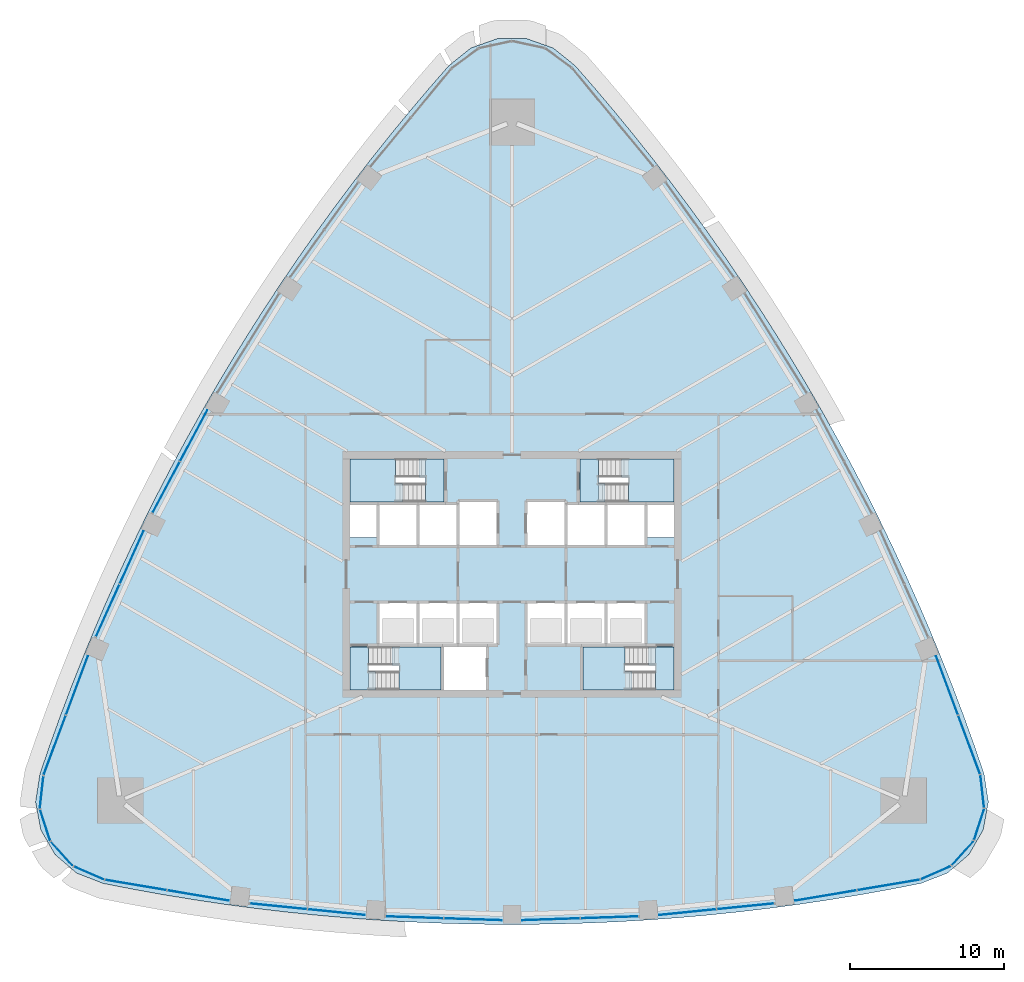
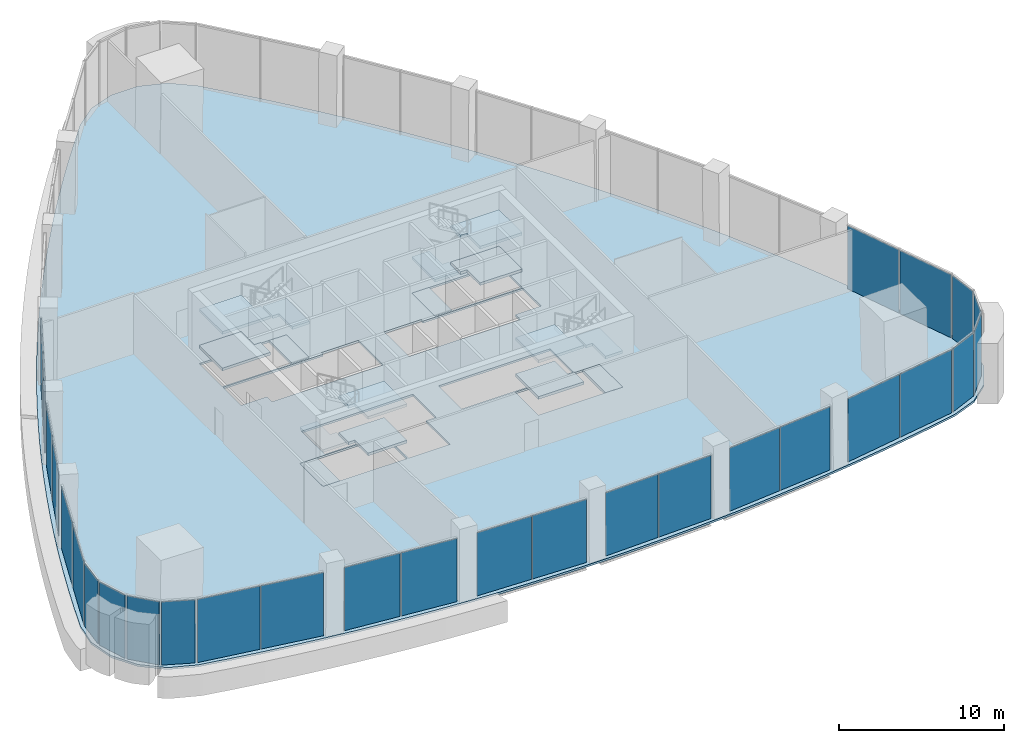
# One storey, part 8 of 16: 28 plates, 17 slabs, 22 elements without a shape of their own.
"""IFC4 building model written with IfcOpenShell, lengths in metres."""

from ifc_helpers import new_model, si_unit, direction, frame, origin, origin_2d, place, context, subcontext, project, spatial, polyline, rectangle, outline, extrude, material, layer, layer_set, type_object, element, aggregate, save


model = new_model("IFC4")

# Units and contexts
model_context = context("Model", 3, precision=1e-05, world=origin(), true_north=direction((0.0, 1.0)))
body_context = subcontext(model_context, "Body", "Model", "MODEL_VIEW")
ifc_project = project(units=[si_unit("LENGTHUNIT", "METRE"), si_unit("AREAUNIT", "SQUARE_METRE"), si_unit("VOLUMEUNIT", "CUBIC_METRE"), si_unit("PLANEANGLEUNIT", "RADIAN"), si_unit("MASSUNIT", "GRAM", prefix="KILO")], contexts=[model_context])

# Site, building, storey
site_placement = place(None, origin())
site = spatial("IfcSite", under=ifc_project, at=site_placement, CompositionType="ELEMENT")
building_placement = place(site_placement, origin())
building = spatial("IfcBuilding", under=site, at=building_placement, Name="Sierra Prisma Convention Tower", CompositionType="ELEMENT")
storey_placement = place(building_placement, frame((0.0, 0.0, 107.199951171875)))
storey = spatial("IfcBuildingStorey", under=building, at=storey_placement, Name="L23", CompositionType="ELEMENT", Elevation=107.199951171875)

# Curtain wall, plates
ifc_material_1 = material(Name="Aluminium and glass curtain wall", Category="aluminium")
ifc_layer_1 = layer(ifc_material_1, 0.179931640625)
ifc_layer_set_1 = layer_set([ifc_layer_1], Name="CW-1 Plain shaft curtain wall")
curtain_wall_type = type_object("IfcCurtainWallType", Name="CW-1 Plain shaft curtain wall", PredefinedType="NOTDEFINED", material=ifc_layer_set_1)
curtain_wall_1_placement = place(storey_placement, origin())
curtain_wall_1 = element("IfcCurtainWall", 1, at=curtain_wall_1_placement, inside=storey, type_object=curtain_wall_type, Name="CW-1 S1 L23", PredefinedType="NOTDEFINED")
ifc_material_2 = material(Name="Tinted glass bronze-grey IGU", Category="glass")
ifc_layer_2 = layer(ifc_material_2, 0.028076171875)
ifc_layer_set_2 = layer_set([ifc_layer_2], Name="CW-1 glass panel")
plate_type = type_object("IfcPlateType", Name="CW-1 glass panel", PredefinedType="CURTAIN_PANEL", material=ifc_layer_set_2)
plate_1_placement = place(storey_placement, frame((-24.415283203125, -20.162109375, 0.0), z_axis=(0.0, 0.0, 1.0), x_axis=(0.986131874684, -0.16596362774, 0.0)))
plate_1 = element("IfcPlate", 2, at=plate_1_placement, type_object=plate_type, Name="CW-1 panel S1.1", PredefinedType="CURTAIN_PANEL", context=body_context, shape_type="SweptSolid", body=[
    extrude(rectangle(XDim=4.0361328125, YDim=0.028076171875, at=origin_2d()), origin(), (0.0, 0.0, 1.0), 4.679931640625),
])
plate_2_placement = place(storey_placement, frame((-20.365966796875, -20.843505859375, 0.0), z_axis=(0.0, 0.0, 1.0), x_axis=(0.986131874684, -0.16596362774, 0.0)))
plate_2 = element("IfcPlate", 3, at=plate_2_placement, type_object=plate_type, Name="CW-1 panel S1.2", PredefinedType="CURTAIN_PANEL", context=body_context, shape_type="SweptSolid", body=[
    extrude(rectangle(XDim=4.0361328125, YDim=0.028076171875, at=origin_2d()), origin(), (0.0, 0.0, 1.0), 4.679931640625),
])
aggregate(curtain_wall_1, [plate_1, plate_2])

curtain_wall_2_placement = place(storey_placement, origin())
curtain_wall_2 = element("IfcCurtainWall", 4, at=curtain_wall_2_placement, inside=storey, type_object=curtain_wall_type, Name="CW-1 S2 L23", PredefinedType="NOTDEFINED")
plate_3_placement = place(storey_placement, frame((-15.15625, -21.54638671875, 0.0), z_axis=(0.0, 0.0, 1.0), x_axis=(0.995000064648, -0.09987427772, 0.0)))
plate_3 = element("IfcPlate", 5, at=plate_3_placement, type_object=plate_type, Name="CW-1 panel S2.1", PredefinedType="CURTAIN_PANEL", context=body_context, shape_type="SweptSolid", body=[
    extrude(rectangle(XDim=3.713623046875, YDim=0.028076171875, at=origin_2d()), origin(), (0.0, 0.0, 1.0), 4.679931640625),
])
plate_4_placement = place(storey_placement, frame((-11.3916015625, -21.92431640625, 0.0), z_axis=(0.0, 0.0, 1.0), x_axis=(0.995000064648, -0.09987427772, 0.0)))
plate_4 = element("IfcPlate", 6, at=plate_4_placement, type_object=plate_type, Name="CW-1 panel S2.2", PredefinedType="CURTAIN_PANEL", context=body_context, shape_type="SweptSolid", body=[
    extrude(rectangle(XDim=3.713623046875, YDim=0.028076171875, at=origin_2d()), origin(), (0.0, 0.0, 1.0), 4.679931640625),
])
aggregate(curtain_wall_2, [plate_3, plate_4])

curtain_wall_3_placement = place(storey_placement, origin())
curtain_wall_3 = element("IfcCurtainWall", 7, at=curtain_wall_3_placement, inside=storey, type_object=curtain_wall_type, Name="CW-1 S3 L23", PredefinedType="NOTDEFINED")
plate_5_placement = place(storey_placement, frame((-6.3310546875, -22.26171875, 0.0), z_axis=(0.0, 0.0, 1.0), x_axis=(0.999444039581, -0.033340842002, 0.0)))
plate_5 = element("IfcPlate", 8, at=plate_5_placement, type_object=plate_type, Name="CW-1 panel S3.1", PredefinedType="CURTAIN_PANEL", context=body_context, shape_type="SweptSolid", body=[
    extrude(rectangle(XDim=3.729736328125, YDim=0.028076171875, at=origin_2d()), origin(), (0.0, 0.0, 1.0), 4.679931640625),
])
plate_6_placement = place(storey_placement, frame((-2.533447265625, -22.388427734375, 0.0), z_axis=(0.0, 0.0, 1.0), x_axis=(0.999444039581, -0.033340842002, 0.0)))
plate_6 = element("IfcPlate", 9, at=plate_6_placement, type_object=plate_type, Name="CW-1 panel S3.2", PredefinedType="CURTAIN_PANEL", context=body_context, shape_type="SweptSolid", body=[
    extrude(rectangle(XDim=3.729736328125, YDim=0.028076171875, at=origin_2d()), origin(), (0.0, 0.0, 1.0), 4.679931640625),
])
aggregate(curtain_wall_3, [plate_5, plate_6])

curtain_wall_4_placement = place(storey_placement, origin())
curtain_wall_4 = element("IfcCurtainWall", 10, at=curtain_wall_4_placement, inside=storey, type_object=curtain_wall_type, Name="CW-1 S4 L23", PredefinedType="NOTDEFINED")
plate_7_placement = place(storey_placement, frame((2.533447265625, -22.388427734375, 0.0), z_axis=(0.0, 0.0, 1.0), x_axis=(0.999444039581, 0.033340842002, 0.0)))
plate_7 = element("IfcPlate", 11, at=plate_7_placement, type_object=plate_type, Name="CW-1 panel S4.1", PredefinedType="CURTAIN_PANEL", context=body_context, shape_type="SweptSolid", body=[
    extrude(rectangle(XDim=3.729736328125, YDim=0.028076171875, at=origin_2d()), origin(), (0.0, 0.0, 1.0), 4.679931640625),
])
plate_8_placement = place(storey_placement, frame((6.3310546875, -22.26171875, 0.0), z_axis=(0.0, 0.0, 1.0), x_axis=(0.999444039581, 0.033340842002, 0.0)))
plate_8 = element("IfcPlate", 12, at=plate_8_placement, type_object=plate_type, Name="CW-1 panel S4.2", PredefinedType="CURTAIN_PANEL", context=body_context, shape_type="SweptSolid", body=[
    extrude(rectangle(XDim=3.729736328125, YDim=0.028076171875, at=origin_2d()), origin(), (0.0, 0.0, 1.0), 4.679931640625),
])
aggregate(curtain_wall_4, [plate_7, plate_8])

curtain_wall_5_placement = place(storey_placement, origin())
curtain_wall_5 = element("IfcCurtainWall", 13, at=curtain_wall_5_placement, inside=storey, type_object=curtain_wall_type, Name="CW-1 S5 L23", PredefinedType="NOTDEFINED")
plate_9_placement = place(storey_placement, frame((11.3916015625, -21.92431640625, 0.0), z_axis=(0.0, 0.0, 1.0), x_axis=(0.995000064648, 0.09987427772, 0.0)))
plate_9 = element("IfcPlate", 14, at=plate_9_placement, type_object=plate_type, Name="CW-1 panel S5.1", PredefinedType="CURTAIN_PANEL", context=body_context, shape_type="SweptSolid", body=[
    extrude(rectangle(XDim=3.713623046875, YDim=0.028076171875, at=origin_2d()), origin(), (0.0, 0.0, 1.0), 4.679931640625),
])
plate_10_placement = place(storey_placement, frame((15.15625, -21.54638671875, 0.0), z_axis=(0.0, 0.0, 1.0), x_axis=(0.995000064648, 0.09987427772, 0.0)))
plate_10 = element("IfcPlate", 15, at=plate_10_placement, type_object=plate_type, Name="CW-1 panel S5.2", PredefinedType="CURTAIN_PANEL", context=body_context, shape_type="SweptSolid", body=[
    extrude(rectangle(XDim=3.713623046875, YDim=0.028076171875, at=origin_2d()), origin(), (0.0, 0.0, 1.0), 4.679931640625),
])
aggregate(curtain_wall_5, [plate_9, plate_10])

curtain_wall_6_placement = place(storey_placement, origin())
curtain_wall_6 = element("IfcCurtainWall", 16, at=curtain_wall_6_placement, inside=storey, type_object=curtain_wall_type, Name="CW-1 S6 L23", PredefinedType="NOTDEFINED")
plate_11_placement = place(storey_placement, frame((20.365966796875, -20.843505859375, 0.0), z_axis=(0.0, 0.0, 1.0), x_axis=(0.986131874684, 0.16596362774, 0.0)))
plate_11 = element("IfcPlate", 17, at=plate_11_placement, type_object=plate_type, Name="CW-1 panel S6.1", PredefinedType="CURTAIN_PANEL", context=body_context, shape_type="SweptSolid", body=[
    extrude(rectangle(XDim=4.0361328125, YDim=0.028076171875, at=origin_2d()), origin(), (0.0, 0.0, 1.0), 4.679931640625),
])
plate_12_placement = place(storey_placement, frame((24.415283203125, -20.162109375, 0.0), z_axis=(0.0, 0.0, 1.0), x_axis=(0.986131874684, 0.16596362774, 0.0)))
plate_12 = element("IfcPlate", 18, at=plate_12_placement, type_object=plate_type, Name="CW-1 panel S6.2", PredefinedType="CURTAIN_PANEL", context=body_context, shape_type="SweptSolid", body=[
    extrude(rectangle(XDim=4.0361328125, YDim=0.028076171875, at=origin_2d()), origin(), (0.0, 0.0, 1.0), 4.679931640625),
])
aggregate(curtain_wall_6, [plate_11, plate_12])

# Curtain wall, plate
curtain_wall_7_placement = place(storey_placement, origin())
curtain_wall_7 = element("IfcCurtainWall", 19, at=curtain_wall_7_placement, inside=storey, type_object=curtain_wall_type, Name="CW-1 SE1 L23", PredefinedType="NOTDEFINED")
plate_13_placement = place(storey_placement, frame((27.48291015625, -19.375, 0.0), z_axis=(0.0, 0.0, 1.0), x_axis=(0.916377428238, 0.400315386935, 0.0)))
plate_13 = element("IfcPlate", 20, at=plate_13_placement, type_object=plate_type, Name="CW-1 panel SE1.1", PredefinedType="CURTAIN_PANEL", context=body_context, shape_type="SweptSolid", body=[
    extrude(rectangle(XDim=2.06103515625, YDim=0.028076171875, at=origin_2d()), origin(), (0.0, 0.0, 1.0), 4.679931640625),
])
aggregate(curtain_wall_7, [plate_13])

curtain_wall_8_placement = place(storey_placement, origin())
curtain_wall_8 = element("IfcCurtainWall", 21, at=curtain_wall_8_placement, inside=storey, type_object=curtain_wall_type, Name="CW-1 SE2 L23", PredefinedType="NOTDEFINED")
plate_14_placement = place(storey_placement, frame((29.229736328125, -18.1181640625, 0.0), z_axis=(0.0, 0.0, 1.0), x_axis=(0.670867245541, 0.741577466527, 0.0)))
plate_14 = element("IfcPlate", 22, at=plate_14_placement, type_object=plate_type, Name="CW-1 panel SE2.1", PredefinedType="CURTAIN_PANEL", context=body_context, shape_type="SweptSolid", body=[
    extrude(rectangle(XDim=2.06103515625, YDim=0.028076171875, at=origin_2d()), origin(), (0.0, 0.0, 1.0), 4.679931640625),
])
aggregate(curtain_wall_8, [plate_14])

curtain_wall_9_placement = place(storey_placement, origin())
curtain_wall_9 = element("IfcCurtainWall", 23, at=curtain_wall_9_placement, inside=storey, type_object=curtain_wall_type, Name="CW-1 SE3 L23", PredefinedType="NOTDEFINED")
plate_15_placement = place(storey_placement, frame((30.3056640625, -16.254638671875, 0.0), z_axis=(0.0, 0.0, 1.0), x_axis=(0.306791302116, 0.951776810469, 0.0)))
plate_15 = element("IfcPlate", 24, at=plate_15_placement, type_object=plate_type, Name="CW-1 panel SE3.1", PredefinedType="CURTAIN_PANEL", context=body_context, shape_type="SweptSolid", body=[
    extrude(rectangle(XDim=2.06103515625, YDim=0.028076171875, at=origin_2d()), origin(), (0.0, 0.0, 1.0), 4.679931640625),
])
aggregate(curtain_wall_9, [plate_15])

curtain_wall_10_placement = place(storey_placement, origin())
curtain_wall_10 = element("IfcCurtainWall", 25, at=curtain_wall_10_placement, inside=storey, type_object=curtain_wall_type, Name="CW-1 SE4 L23", PredefinedType="NOTDEFINED")
plate_16_placement = place(storey_placement, frame((30.5205078125, -14.113525390625, 0.0), z_axis=(0.0, 0.0, 1.0), x_axis=(-0.111505419508, 0.993763825776, 0.0)))
plate_16 = element("IfcPlate", 26, at=plate_16_placement, type_object=plate_type, Name="CW-1 panel SE4.1", PredefinedType="CURTAIN_PANEL", context=body_context, shape_type="SweptSolid", body=[
    extrude(rectangle(XDim=2.06103515625, YDim=0.028076171875, at=origin_2d()), origin(), (0.0, 0.0, 1.0), 4.679931640625),
])
aggregate(curtain_wall_10, [plate_16])

# Curtain wall, plates
curtain_wall_11_placement = place(storey_placement, origin())
curtain_wall_11 = element("IfcCurtainWall", 27, at=curtain_wall_11_placement, inside=storey, type_object=curtain_wall_type, Name="CW-1 NE1 L23", PredefinedType="NOTDEFINED")
plate_17_placement = place(storey_placement, frame((29.66845703125, -11.063232421875, 0.0), z_axis=(0.0, 0.0, 1.0), x_axis=(-0.349337219615, 0.936997068828, 0.0)))
plate_17 = element("IfcPlate", 28, at=plate_17_placement, type_object=plate_type, Name="CW-1 panel NE1.1", PredefinedType="CURTAIN_PANEL", context=body_context, shape_type="SweptSolid", body=[
    extrude(rectangle(XDim=4.0361328125, YDim=0.028076171875, at=origin_2d()), origin(), (0.0, 0.0, 1.0), 4.679931640625),
])
plate_18_placement = place(storey_placement, frame((28.23388671875, -7.2158203125, 0.0), z_axis=(0.0, 0.0, 1.0), x_axis=(-0.349337219615, 0.936997068828, 0.0)))
plate_18 = element("IfcPlate", 29, at=plate_18_placement, type_object=plate_type, Name="CW-1 panel NE1.2", PredefinedType="CURTAIN_PANEL", context=body_context, shape_type="SweptSolid", body=[
    extrude(rectangle(XDim=4.0361328125, YDim=0.028076171875, at=origin_2d()), origin(), (0.0, 0.0, 1.0), 4.679931640625),
])
aggregate(curtain_wall_11, [plate_17, plate_18])

curtain_wall_12_placement = place(storey_placement, origin())
curtain_wall_12 = element("IfcCurtainWall", 30, at=curtain_wall_12_placement, inside=storey, type_object=curtain_wall_type, Name="CW-1 NW4 L23", PredefinedType="NOTDEFINED")
plate_19_placement = place(storey_placement, frame((-20.655517578125, 9.000244140625, 0.0), z_axis=(0.0, 0.0, 1.0), x_axis=(-0.470848003633, -0.882214348939, 0.0)))
plate_19 = element("IfcPlate", 31, at=plate_19_placement, type_object=plate_type, Name="CW-1 panel NW4.1", PredefinedType="CURTAIN_PANEL", context=body_context, shape_type="SweptSolid", body=[
    extrude(rectangle(XDim=3.729736328125, YDim=0.028076171875, at=origin_2d()), origin(), (0.0, 0.0, 1.0), 4.679931640625),
])
plate_20_placement = place(storey_placement, frame((-22.444580078125, 5.64794921875, 0.0), z_axis=(0.0, 0.0, 1.0), x_axis=(-0.470848003633, -0.882214348939, 0.0)))
plate_20 = element("IfcPlate", 32, at=plate_20_placement, type_object=plate_type, Name="CW-1 panel NW4.2", PredefinedType="CURTAIN_PANEL", context=body_context, shape_type="SweptSolid", body=[
    extrude(rectangle(XDim=3.729736328125, YDim=0.028076171875, at=origin_2d()), origin(), (0.0, 0.0, 1.0), 4.679931640625),
])
aggregate(curtain_wall_12, [plate_19, plate_20])

curtain_wall_13_placement = place(storey_placement, origin())
curtain_wall_13 = element("IfcCurtainWall", 33, at=curtain_wall_13_placement, inside=storey, type_object=curtain_wall_type, Name="CW-1 NW5 L23", PredefinedType="NOTDEFINED")
plate_21_placement = place(storey_placement, frame((-24.682861328125, 1.096923828125, 0.0), z_axis=(0.0, 0.0, 1.0), x_axis=(-0.411006370634, -0.911632471612, 0.0)))
plate_21 = element("IfcPlate", 34, at=plate_21_placement, type_object=plate_type, Name="CW-1 panel NW5.1", PredefinedType="CURTAIN_PANEL", context=body_context, shape_type="SweptSolid", body=[
    extrude(rectangle(XDim=3.713623046875, YDim=0.028076171875, at=origin_2d()), origin(), (0.0, 0.0, 1.0), 4.679931640625),
])
plate_22_placement = place(storey_placement, frame((-26.23779296875, -2.352294921875, 0.0), z_axis=(0.0, 0.0, 1.0), x_axis=(-0.411006370634, -0.911632471612, 0.0)))
plate_22 = element("IfcPlate", 35, at=plate_22_placement, type_object=plate_type, Name="CW-1 panel NW5.2", PredefinedType="CURTAIN_PANEL", context=body_context, shape_type="SweptSolid", body=[
    extrude(rectangle(XDim=3.713623046875, YDim=0.028076171875, at=origin_2d()), origin(), (0.0, 0.0, 1.0), 4.679931640625),
])
aggregate(curtain_wall_13, [plate_21, plate_22])

curtain_wall_14_placement = place(storey_placement, origin())
curtain_wall_14 = element("IfcCurtainWall", 36, at=curtain_wall_14_placement, inside=storey, type_object=curtain_wall_type, Name="CW-1 NW6 L23", PredefinedType="NOTDEFINED")
plate_23_placement = place(storey_placement, frame((-28.23388671875, -7.2158203125, 0.0), z_axis=(0.0, 0.0, 1.0), x_axis=(-0.349337219615, -0.936997068828, 0.0)))
plate_23 = element("IfcPlate", 37, at=plate_23_placement, type_object=plate_type, Name="CW-1 panel NW6.1", PredefinedType="CURTAIN_PANEL", context=body_context, shape_type="SweptSolid", body=[
    extrude(rectangle(XDim=4.0361328125, YDim=0.028076171875, at=origin_2d()), origin(), (0.0, 0.0, 1.0), 4.679931640625),
])
plate_24_placement = place(storey_placement, frame((-29.66845703125, -11.063232421875, 0.0), z_axis=(0.0, 0.0, 1.0), x_axis=(-0.349337219615, -0.936997068828, 0.0)))
plate_24 = element("IfcPlate", 38, at=plate_24_placement, type_object=plate_type, Name="CW-1 panel NW6.2", PredefinedType="CURTAIN_PANEL", context=body_context, shape_type="SweptSolid", body=[
    extrude(rectangle(XDim=4.0361328125, YDim=0.028076171875, at=origin_2d()), origin(), (0.0, 0.0, 1.0), 4.679931640625),
])
aggregate(curtain_wall_14, [plate_23, plate_24])

# Curtain wall, plate
curtain_wall_15_placement = place(storey_placement, origin())
curtain_wall_15 = element("IfcCurtainWall", 39, at=curtain_wall_15_placement, inside=storey, type_object=curtain_wall_type, Name="CW-1 SW1 L23", PredefinedType="NOTDEFINED")
plate_25_placement = place(storey_placement, frame((-30.5205078125, -14.113525390625, 0.0), z_axis=(0.0, 0.0, 1.0), x_axis=(-0.111505419508, -0.993763825776, 0.0)))
plate_25 = element("IfcPlate", 40, at=plate_25_placement, type_object=plate_type, Name="CW-1 panel SW1.1", PredefinedType="CURTAIN_PANEL", context=body_context, shape_type="SweptSolid", body=[
    extrude(rectangle(XDim=2.06103515625, YDim=0.028076171875, at=origin_2d()), origin(), (0.0, 0.0, 1.0), 4.679931640625),
])
aggregate(curtain_wall_15, [plate_25])

curtain_wall_16_placement = place(storey_placement, origin())
curtain_wall_16 = element("IfcCurtainWall", 41, at=curtain_wall_16_placement, inside=storey, type_object=curtain_wall_type, Name="CW-1 SW2 L23", PredefinedType="NOTDEFINED")
plate_26_placement = place(storey_placement, frame((-30.3056640625, -16.254638671875, 0.0), z_axis=(0.0, 0.0, 1.0), x_axis=(0.306791302116, -0.951776810469, 0.0)))
plate_26 = element("IfcPlate", 42, at=plate_26_placement, type_object=plate_type, Name="CW-1 panel SW2.1", PredefinedType="CURTAIN_PANEL", context=body_context, shape_type="SweptSolid", body=[
    extrude(rectangle(XDim=2.06103515625, YDim=0.028076171875, at=origin_2d()), origin(), (0.0, 0.0, 1.0), 4.679931640625),
])
aggregate(curtain_wall_16, [plate_26])

curtain_wall_17_placement = place(storey_placement, origin())
curtain_wall_17 = element("IfcCurtainWall", 43, at=curtain_wall_17_placement, inside=storey, type_object=curtain_wall_type, Name="CW-1 SW3 L23", PredefinedType="NOTDEFINED")
plate_27_placement = place(storey_placement, frame((-29.229736328125, -18.1181640625, 0.0), z_axis=(0.0, 0.0, 1.0), x_axis=(0.670867245541, -0.741577466527, 0.0)))
plate_27 = element("IfcPlate", 44, at=plate_27_placement, type_object=plate_type, Name="CW-1 panel SW3.1", PredefinedType="CURTAIN_PANEL", context=body_context, shape_type="SweptSolid", body=[
    extrude(rectangle(XDim=2.06103515625, YDim=0.028076171875, at=origin_2d()), origin(), (0.0, 0.0, 1.0), 4.679931640625),
])
aggregate(curtain_wall_17, [plate_27])

curtain_wall_18_placement = place(storey_placement, origin())
curtain_wall_18 = element("IfcCurtainWall", 45, at=curtain_wall_18_placement, inside=storey, type_object=curtain_wall_type, Name="CW-1 SW4 L23", PredefinedType="NOTDEFINED")
plate_28_placement = place(storey_placement, frame((-27.48291015625, -19.375, 0.0), z_axis=(0.0, 0.0, 1.0), x_axis=(0.916377428238, -0.400315386935, 0.0)))
plate_28 = element("IfcPlate", 46, at=plate_28_placement, type_object=plate_type, Name="CW-1 panel SW4.1", PredefinedType="CURTAIN_PANEL", context=body_context, shape_type="SweptSolid", body=[
    extrude(rectangle(XDim=2.06103515625, YDim=0.028076171875, at=origin_2d()), origin(), (0.0, 0.0, 1.0), 4.679931640625),
])
aggregate(curtain_wall_18, [plate_28])

# Slab
ifc_material_3 = material(Name="Concrete C35/45", Category="concrete")
ifc_layer_3 = layer(ifc_material_3, 0.14990234375)
ifc_layer_set_3 = layer_set([ifc_layer_3], Name="Composite floor slab 150")
slab_type_1 = type_object("IfcSlabType", Name="Composite floor slab 150", PredefinedType="FLOOR", material=ifc_layer_set_3)
slab_1_placement = place(storey_placement, frame((0.0, 0.0, -0.14990234375)))
element("IfcSlab", 47, at=slab_1_placement, inside=storey, type_object=slab_type_1, Name="Floor slab L23 floor", PredefinedType="FLOOR", context=body_context, shape_type="SweptSolid", body=[
    extrude(outline(polyline([(-26.524169921875, -20.060546875), (-24.582763671875, -20.439208984375), (-22.635986328125, -20.7890625), (-20.684326171875, -21.110107421875), (-18.728271484375, -21.40234375), (-16.767822265625, -21.665283203125), (-14.803955078125, -21.899169921875), (-12.836669921875, -22.10400390625), (-10.866455078125, -22.27978515625), (-8.89404296875, -22.42626953125), (-6.919677734375, -22.54345703125), (-4.943603515625, -22.63134765625), (-2.966552734375, -22.68994140625), (-0.989013671875, -22.71923828125), (0.989013671875, -22.71923828125), (2.966552734375, -22.68994140625), (4.943603515625, -22.63134765625), (6.919677734375, -22.54345703125), (8.89404296875, -22.42626953125), (10.866455078125, -22.27978515625), (12.836669921875, -22.10400390625), (14.803955078125, -21.899169921875), (16.767822265625, -21.665283203125), (18.728271484375, -21.40234375), (20.684326171875, -21.110107421875), (22.635986328125, -20.7890625), (24.582763671875, -20.439208984375), (26.524169921875, -20.060546875), (28.2490234375, -19.392333984375), (29.654052734375, -18.188720703125), (30.5791015625, -16.586669921875), (30.9189453125, -14.768310546875), (30.635009765625, -12.940185546875), (29.9921875, -11.069580078125), (29.322021484375, -9.208740234375), (28.6240234375, -7.358154296875), (27.89892578125, -5.51806640625), (27.146484375, -3.688720703125), (26.3671875, -1.870849609375), (25.56103515625, -0.064697265625), (24.72802734375, 1.729248046875), (23.86865234375, 3.5107421875), (22.98291015625, 5.279052734375), (22.071044921875, 7.0341796875), (21.13330078125, 8.77587890625), (20.169921875, 10.503173828125), (19.180908203125, 12.216064453125), (18.166748046875, 13.9140625), (17.12744140625, 15.596923828125), (16.063232421875, 17.26416015625), (14.974609375, 18.91552734375), (13.861572265625, 20.550537109375), (12.724365234375, 22.1689453125), (11.5634765625, 23.77001953125), (10.378662109375, 25.35400390625), (9.1708984375, 26.920166015625), (7.939697265625, 28.46826171875), (6.685791015625, 29.998046875), (5.409423828125, 31.5087890625), (4.11083984375, 33.000732421875), (2.669677734375, 34.16064453125), (0.925048828125, 34.775634765625), (-0.925048828125, 34.775634765625), (-2.669677734375, 34.16064453125), (-4.11083984375, 33.000732421875), (-5.409423828125, 31.5087890625), (-6.685791015625, 29.998046875), (-7.939697265625, 28.46826171875), (-9.1708984375, 26.920166015625), (-10.378662109375, 25.35400390625), (-11.5634765625, 23.77001953125), (-12.724365234375, 22.1689453125), (-13.861572265625, 20.550537109375), (-14.974609375, 18.91552734375), (-16.063232421875, 17.26416015625), (-17.12744140625, 15.596923828125), (-18.166748046875, 13.9140625), (-19.180908203125, 12.216064453125), (-20.169921875, 10.503173828125), (-21.13330078125, 8.77587890625), (-22.071044921875, 7.0341796875), (-22.98291015625, 5.279052734375), (-23.86865234375, 3.5107421875), (-24.72802734375, 1.729248046875), (-25.56103515625, -0.064697265625), (-26.3671875, -1.870849609375), (-27.146484375, -3.688720703125), (-27.89892578125, -5.51806640625), (-28.6240234375, -7.358154296875), (-29.322021484375, -9.208740234375), (-29.9921875, -11.069580078125), (-30.635009765625, -12.940185546875), (-30.9189453125, -14.768310546875), (-30.5791015625, -16.586669921875), (-29.654052734375, -18.188720703125), (-28.2490234375, -19.392333984375), (-26.524169921875, -20.060546875)]), holes=[polyline([(-4.60009765625, -7.5), (-10.5, -7.5), (-10.5, -4.699951171875), (-4.60009765625, -4.699951171875), (-4.60009765625, -7.5)]), polyline([(-8.699951171875, -4.60009765625), (-8.699951171875, -1.800048828125), (-6.10009765625, -1.800048828125), (-3.5, -1.800048828125), (-0.89990234375, -1.800048828125), (-0.89990234375, -4.60009765625), (-1.60009765625, -4.60009765625), (-1.60009765625, -7.5), (-4.5, -7.5), (-4.5, -4.60009765625), (-6.10009765625, -4.60009765625), (-8.699951171875, -4.60009765625)]), polyline([(-10.5, 4.60009765625), (-8.699951171875, 4.60009765625), (-6.10009765625, 4.60009765625), (-3.5, 4.60009765625), (-3.5, 4.800048828125), (-0.89990234375, 4.800048828125), (-0.89990234375, 1.800048828125), (-3.5, 1.800048828125), (-6.10009765625, 1.800048828125), (-8.699951171875, 1.800048828125), (-8.699951171875, 2.39990234375), (-10.5, 2.39990234375), (-10.5, 4.60009765625)]), polyline([(-4.39990234375, 4.699951171875), (-10.5, 4.699951171875), (-10.5, 7.5), (-4.39990234375, 7.5), (-4.39990234375, 4.699951171875)]), polyline([(10.5, -7.5), (4.60009765625, -7.5), (4.60009765625, -4.699951171875), (10.5, -4.699951171875), (10.5, -7.5)]), polyline([(6.10009765625, -1.800048828125), (8.699951171875, -1.800048828125), (8.699951171875, -4.60009765625), (6.10009765625, -4.60009765625), (3.5, -4.60009765625), (0.89990234375, -4.60009765625), (0.89990234375, -1.800048828125), (3.5, -1.800048828125), (6.10009765625, -1.800048828125)]), polyline([(10.5, 4.60009765625), (10.5, 2.39990234375), (8.699951171875, 2.39990234375), (8.699951171875, 1.800048828125), (6.10009765625, 1.800048828125), (3.5, 1.800048828125), (0.89990234375, 1.800048828125), (0.89990234375, 4.800048828125), (3.5, 4.800048828125), (3.5, 4.60009765625), (6.10009765625, 4.60009765625), (8.699951171875, 4.60009765625), (10.5, 4.60009765625)]), polyline([(4.39990234375, 4.699951171875), (4.39990234375, 7.5), (10.5, 7.5), (10.5, 4.699951171875), (4.39990234375, 4.699951171875)])]), origin(), (0.0, 0.0, 1.0), 0.14990234375),
])

# Stair, slabs
ifc_material_4 = material(Name="Concrete C30/37", Category="concrete")
stair_type = type_object("IfcStairType", Name="Stair dog-leg 1200 RC", PredefinedType="HALF_TURN_STAIR", material=ifc_material_4)
stair_1_placement = place(storey_placement, origin())
stair_1 = element("IfcStair", 48, at=stair_1_placement, inside=storey, type_object=stair_type, Name="L23 S1", PredefinedType="HALF_TURN_STAIR")
ifc_material_5 = material(Name="Concrete C35/45", Category="concrete")
ifc_layer_4 = layer(ifc_material_5, 0.199951171875)
ifc_layer_set_4 = layer_set([ifc_layer_4], Name="Stair landing slab")
slab_type_2 = type_object("IfcSlabType", Name="Stair landing slab", PredefinedType="LANDING", material=ifc_layer_set_4)
slab_2_placement = place(storey_placement, frame((0.0, 0.0, 1.150146484375)))
slab_2 = element("IfcSlab", 49, at=slab_2_placement, type_object=slab_type_2, Name="S1 landing 1", PredefinedType="LANDING", context=body_context, shape_type="SweptSolid", body=[
    extrude(outline(polyline([(-4.60009765625, -4.699951171875), (-4.60009765625, -7.5), (-7.342041015625, -7.5), (-7.342041015625, -5.89990234375), (-7.7900390625, -5.89990234375), (-7.7900390625, -4.699951171875), (-4.60009765625, -4.699951171875)])), origin(), (0.0, 0.0, 1.0), 0.199951171875),
])
slab_3_placement = place(storey_placement, frame((0.0, 0.0, 2.5)))
slab_3 = element("IfcSlab", 50, at=slab_3_placement, type_object=slab_type_2, Name="S1 landing 2", PredefinedType="LANDING", context=body_context, shape_type="SweptSolid", body=[
    extrude(outline(polyline([(-10.5, -7.5), (-10.5, -4.699951171875), (-9.298095703125, -4.699951171875), (-9.298095703125, -6.300048828125), (-8.85009765625, -6.300048828125), (-8.85009765625, -7.5), (-10.5, -7.5)])), origin(), (0.0, 0.0, 1.0), 0.199951171875),
])
slab_4_placement = place(storey_placement, frame((0.0, 0.0, 3.85009765625)))
slab_4 = element("IfcSlab", 51, at=slab_4_placement, type_object=slab_type_2, Name="S1 landing 3", PredefinedType="LANDING", context=body_context, shape_type="SweptSolid", body=[
    extrude(outline(polyline([(-4.60009765625, -4.699951171875), (-4.60009765625, -7.5), (-7.342041015625, -7.5), (-7.342041015625, -5.89990234375), (-7.7900390625, -5.89990234375), (-7.7900390625, -4.699951171875), (-4.60009765625, -4.699951171875)])), origin(), (0.0, 0.0, 1.0), 0.199951171875),
])
aggregate(stair_1, [slab_2, slab_3, slab_4])

# Slab
slab_5_placement = place(storey_placement, frame((0.0, 0.0, -0.199951171875)))
element("IfcSlab", 52, at=slab_5_placement, inside=storey, type_object=slab_type_2, Name="S1 floor landing L23", PredefinedType="LANDING", context=body_context, shape_type="SweptSolid", body=[
    extrude(outline(polyline([(-10.5, -7.5), (-9.298095703125, -7.5), (-9.298095703125, -4.699951171875), (-10.5, -4.699951171875), (-10.5, -7.5)])), origin(), (0.0, 0.0, 1.0), 0.199951171875),
])

# Stair, slabs
stair_2_placement = place(storey_placement, origin())
stair_2 = element("IfcStair", 53, at=stair_2_placement, inside=storey, type_object=stair_type, Name="L23 S2", PredefinedType="HALF_TURN_STAIR")
slab_6_placement = place(storey_placement, frame((0.0, 0.0, 1.150146484375)))
slab_6 = element("IfcSlab", 54, at=slab_6_placement, type_object=slab_type_2, Name="S2 landing 1", PredefinedType="LANDING", context=body_context, shape_type="SweptSolid", body=[
    extrude(outline(polyline([(7.7900390625, -6.300048828125), (7.7900390625, -7.5), (4.60009765625, -7.5), (4.60009765625, -4.699951171875), (7.342041015625, -4.699951171875), (7.342041015625, -6.300048828125), (7.7900390625, -6.300048828125)])), origin(), (0.0, 0.0, 1.0), 0.199951171875),
])
slab_7_placement = place(storey_placement, frame((0.0, 0.0, 2.5)))
slab_7 = element("IfcSlab", 55, at=slab_7_placement, type_object=slab_type_2, Name="S2 landing 2", PredefinedType="LANDING", context=body_context, shape_type="SweptSolid", body=[
    extrude(outline(polyline([(10.5, -4.699951171875), (10.5, -7.5), (9.298095703125, -7.5), (9.298095703125, -5.89990234375), (8.85009765625, -5.89990234375), (8.85009765625, -4.699951171875), (10.5, -4.699951171875)])), origin(), (0.0, 0.0, 1.0), 0.199951171875),
])
slab_8_placement = place(storey_placement, frame((0.0, 0.0, 3.85009765625)))
slab_8 = element("IfcSlab", 56, at=slab_8_placement, type_object=slab_type_2, Name="S2 landing 3", PredefinedType="LANDING", context=body_context, shape_type="SweptSolid", body=[
    extrude(outline(polyline([(7.7900390625, -6.300048828125), (7.7900390625, -7.5), (4.60009765625, -7.5), (4.60009765625, -4.699951171875), (7.342041015625, -4.699951171875), (7.342041015625, -6.300048828125), (7.7900390625, -6.300048828125)])), origin(), (0.0, 0.0, 1.0), 0.199951171875),
])
aggregate(stair_2, [slab_6, slab_7, slab_8])

# Slab
slab_9_placement = place(storey_placement, frame((0.0, 0.0, -0.199951171875)))
element("IfcSlab", 57, at=slab_9_placement, inside=storey, type_object=slab_type_2, Name="S2 floor landing L23", PredefinedType="LANDING", context=body_context, shape_type="SweptSolid", body=[
    extrude(outline(polyline([(10.5, -4.699951171875), (9.298095703125, -4.699951171875), (9.298095703125, -7.5), (10.5, -7.5), (10.5, -4.699951171875)])), origin(), (0.0, 0.0, 1.0), 0.199951171875),
])

# Stair, slabs
stair_3_placement = place(storey_placement, origin())
stair_3 = element("IfcStair", 58, at=stair_3_placement, inside=storey, type_object=stair_type, Name="L23 S3", PredefinedType="HALF_TURN_STAIR")
slab_10_placement = place(storey_placement, frame((0.0, 0.0, 1.150146484375)))
slab_10 = element("IfcSlab", 59, at=slab_10_placement, type_object=slab_type_2, Name="S3 landing 1", PredefinedType="LANDING", context=body_context, shape_type="SweptSolid", body=[
    extrude(outline(polyline([(-7.110107421875, 5.89990234375), (-7.110107421875, 4.699951171875), (-10.5, 4.699951171875), (-10.5, 7.5), (-7.55810546875, 7.5), (-7.55810546875, 5.89990234375), (-7.110107421875, 5.89990234375)])), origin(), (0.0, 0.0, 1.0), 0.199951171875),
])
slab_11_placement = place(storey_placement, frame((0.0, 0.0, 2.5)))
slab_11 = element("IfcSlab", 60, at=slab_11_placement, type_object=slab_type_2, Name="S3 landing 2", PredefinedType="LANDING", context=body_context, shape_type="SweptSolid", body=[
    extrude(outline(polyline([(-4.39990234375, 7.5), (-4.39990234375, 4.699951171875), (-5.60205078125, 4.699951171875), (-5.60205078125, 6.300048828125), (-6.050048828125, 6.300048828125), (-6.050048828125, 7.5), (-4.39990234375, 7.5)])), origin(), (0.0, 0.0, 1.0), 0.199951171875),
])
slab_12_placement = place(storey_placement, frame((0.0, 0.0, 3.85009765625)))
slab_12 = element("IfcSlab", 61, at=slab_12_placement, type_object=slab_type_2, Name="S3 landing 3", PredefinedType="LANDING", context=body_context, shape_type="SweptSolid", body=[
    extrude(outline(polyline([(-7.110107421875, 5.89990234375), (-7.110107421875, 4.699951171875), (-10.5, 4.699951171875), (-10.5, 7.5), (-7.55810546875, 7.5), (-7.55810546875, 5.89990234375), (-7.110107421875, 5.89990234375)])), origin(), (0.0, 0.0, 1.0), 0.199951171875),
])
aggregate(stair_3, [slab_10, slab_11, slab_12])

# Slab
slab_13_placement = place(storey_placement, frame((0.0, 0.0, -0.199951171875)))
element("IfcSlab", 62, at=slab_13_placement, inside=storey, type_object=slab_type_2, Name="S3 floor landing L23", PredefinedType="LANDING", context=body_context, shape_type="SweptSolid", body=[
    extrude(outline(polyline([(-4.39990234375, 7.5), (-5.60205078125, 7.5), (-5.60205078125, 4.699951171875), (-4.39990234375, 4.699951171875), (-4.39990234375, 7.5)])), origin(), (0.0, 0.0, 1.0), 0.199951171875),
])

# Stair, slabs
stair_4_placement = place(storey_placement, origin())
stair_4 = element("IfcStair", 63, at=stair_4_placement, inside=storey, type_object=stair_type, Name="L23 S4", PredefinedType="HALF_TURN_STAIR")
slab_14_placement = place(storey_placement, frame((0.0, 0.0, 1.150146484375)))
slab_14 = element("IfcSlab", 64, at=slab_14_placement, type_object=slab_type_2, Name="S4 landing 1", PredefinedType="LANDING", context=body_context, shape_type="SweptSolid", body=[
    extrude(outline(polyline([(10.5, 7.5), (10.5, 4.699951171875), (7.55810546875, 4.699951171875), (7.55810546875, 6.300048828125), (7.110107421875, 6.300048828125), (7.110107421875, 7.5), (10.5, 7.5)])), origin(), (0.0, 0.0, 1.0), 0.199951171875),
])
slab_15_placement = place(storey_placement, frame((0.0, 0.0, 2.5)))
slab_15 = element("IfcSlab", 65, at=slab_15_placement, type_object=slab_type_2, Name="S4 landing 2", PredefinedType="LANDING", context=body_context, shape_type="SweptSolid", body=[
    extrude(outline(polyline([(4.39990234375, 4.699951171875), (4.39990234375, 7.5), (5.60205078125, 7.5), (5.60205078125, 5.89990234375), (6.050048828125, 5.89990234375), (6.050048828125, 4.699951171875), (4.39990234375, 4.699951171875)])), origin(), (0.0, 0.0, 1.0), 0.199951171875),
])
slab_16_placement = place(storey_placement, frame((0.0, 0.0, 3.85009765625)))
slab_16 = element("IfcSlab", 66, at=slab_16_placement, type_object=slab_type_2, Name="S4 landing 3", PredefinedType="LANDING", context=body_context, shape_type="SweptSolid", body=[
    extrude(outline(polyline([(10.5, 7.5), (10.5, 4.699951171875), (7.55810546875, 4.699951171875), (7.55810546875, 6.300048828125), (7.110107421875, 6.300048828125), (7.110107421875, 7.5), (10.5, 7.5)])), origin(), (0.0, 0.0, 1.0), 0.199951171875),
])
aggregate(stair_4, [slab_14, slab_15, slab_16])

# Slab
slab_17_placement = place(storey_placement, frame((0.0, 0.0, -0.199951171875)))
element("IfcSlab", 67, at=slab_17_placement, inside=storey, type_object=slab_type_2, Name="S4 floor landing L23", PredefinedType="LANDING", context=body_context, shape_type="SweptSolid", body=[
    extrude(outline(polyline([(4.39990234375, 4.699951171875), (5.60205078125, 4.699951171875), (5.60205078125, 7.5), (4.39990234375, 7.5), (4.39990234375, 4.699951171875)])), origin(), (0.0, 0.0, 1.0), 0.199951171875),
])

save(model, "model.ifc")
